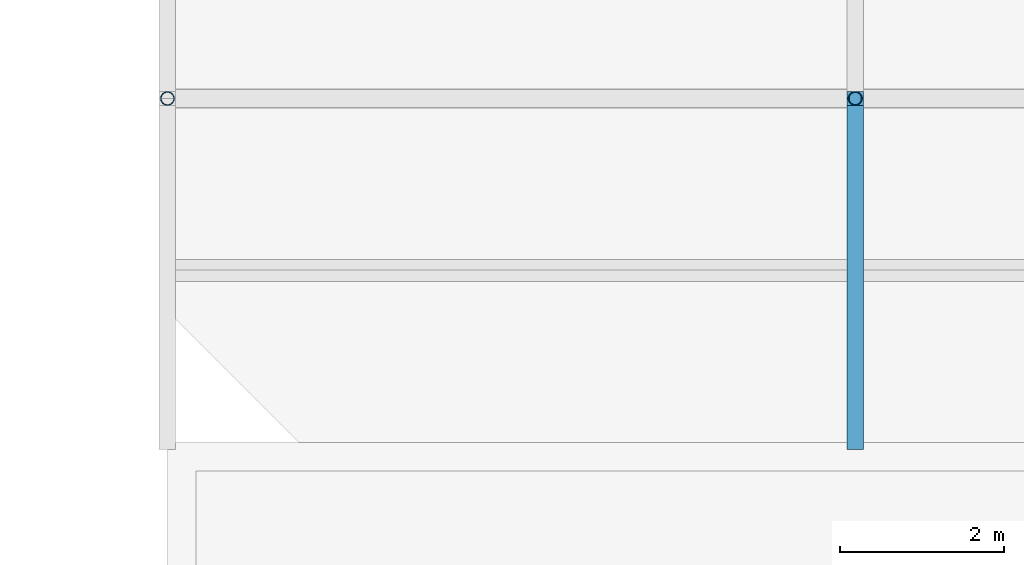
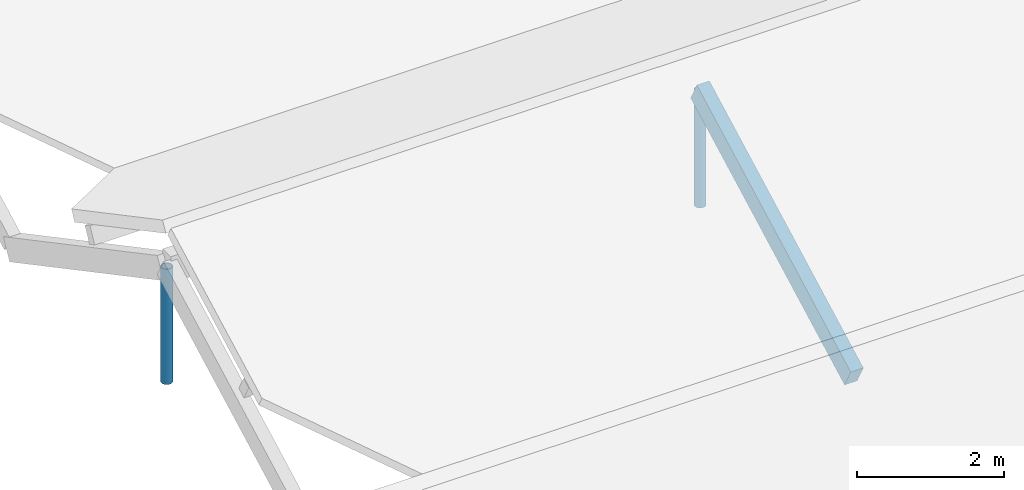
# One storey, part 53 of 82: 3 members.
"""IFC4 building model written with IfcOpenShell, lengths in metres."""

from ifc_helpers import new_model, si_unit, direction, frame, origin, origin_2d, place, context, subcontext, project, spatial, rectangle, hollow_circle, extrude, material, material_profile, profile_set, type_object, element, save


model = new_model("IFC4")

# Units and contexts
model_context = context("Model", 3, precision=1e-05, world=origin(), true_north=direction((0.0, 1.0)))
body_context = subcontext(model_context, "Body", "Model", "MODEL_VIEW")
ifc_project = project(units=[si_unit("LENGTHUNIT", "METRE"), si_unit("AREAUNIT", "SQUARE_METRE"), si_unit("VOLUMEUNIT", "CUBIC_METRE"), si_unit("PLANEANGLEUNIT", "RADIAN"), si_unit("MASSUNIT", "GRAM", prefix="KILO")], contexts=[model_context])

# Site, building, storey
site_placement = place(None, origin())
site = spatial("IfcSite", under=ifc_project, at=site_placement, CompositionType="ELEMENT")
building_placement = place(site_placement, origin())
building = spatial("IfcBuilding", under=site, at=building_placement, Name="Bramfleet General Hospital", CompositionType="ELEMENT")
storey_placement = place(building_placement, frame((0.0, 0.0, 34.199951171875)))
storey = spatial("IfcBuildingStorey", under=building, at=storey_placement, Name="Roof", CompositionType="ELEMENT", Elevation=34.199951171875)

# Members
ifc_material_1 = material(Name="Structural timber GL28h", Category="wood")
ifc_material_profile_1 = material_profile(ifc_material_1, rectangle(XDim=0.199951171875, YDim=0.360107421875, at=origin_2d()), Name="GL28h 360x200")
ifc_profile_set_1 = profile_set([ifc_material_profile_1], Name="Structural timber GL28h")
member_type_1 = type_object("IfcMemberType", Name="MEM-RF-GL360", PredefinedType="RAFTER", material=ifc_profile_set_1)
member_placement = place(storey_placement, frame((100.800048828125, 75.60009765625, -0.75634765625), z_axis=(0.0, 0.882947536541, 0.469471668705), x_axis=(-1.0, 0.0, 0.0)))
element("IfcMember", 1, at=member_placement, inside=storey, type_object=member_type_1, Name="Patient House PH-13 South Glulam Rafter 1", PredefinedType="RAFTER", context=body_context, shape_type="SweptSolid", body=[
    extrude(rectangle(XDim=0.199951171875, YDim=0.360107421875, at=origin_2d()), origin(), (0.0, 0.0, 1.0), 4.7568359375),
])
ifc_material_2 = material(Name="Steel S355", Category="steel")
ifc_material_profile_2 = material_profile(ifc_material_2, hollow_circle(Radius=0.084228515625, WallThickness=0.008056640625, at=origin_2d()), Name="CHS 168.3x8.0")
ifc_profile_set_2 = profile_set([ifc_material_profile_2], Name="Steel S355")
member_type_2 = type_object("IfcMemberType", Name="MEM-SF-DG1", PredefinedType="STRUT", material=ifc_profile_set_2)
for number, where, z_axis, x_axis, name in (
    (2, (92.39990234375, 79.800048828125, -0.43994140625), (0.0, 0.0, 1.0), (1.0, 0.0, 0.0), "Patient House PH-13 Ridge Timber Post 0"),
    (3, (100.800048828125, 79.800048828125, -0.43994140625), (0.0, 0.0, 1.0), (1.0, 0.0, 0.0), "Patient House PH-13 Ridge Timber Post 1"),
):
    element("IfcMember", number, at=place(storey_placement, frame(where, z_axis=z_axis, x_axis=x_axis)), inside=storey, type_object=member_type_2, Name=name, PredefinedType="STRUT", context=body_context, shape_type="SweptSolid", body=[
        extrude(hollow_circle(Radius=0.084228515625, WallThickness=0.008056640625, at=origin_2d()), origin(), (0.0, 0.0, 1.0), 1.916748046875),
    ])

save(model, "model.ifc")
